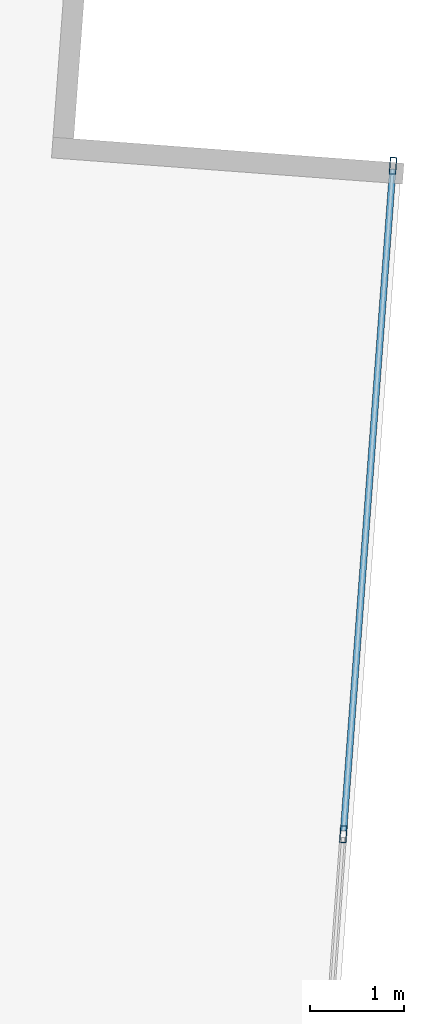
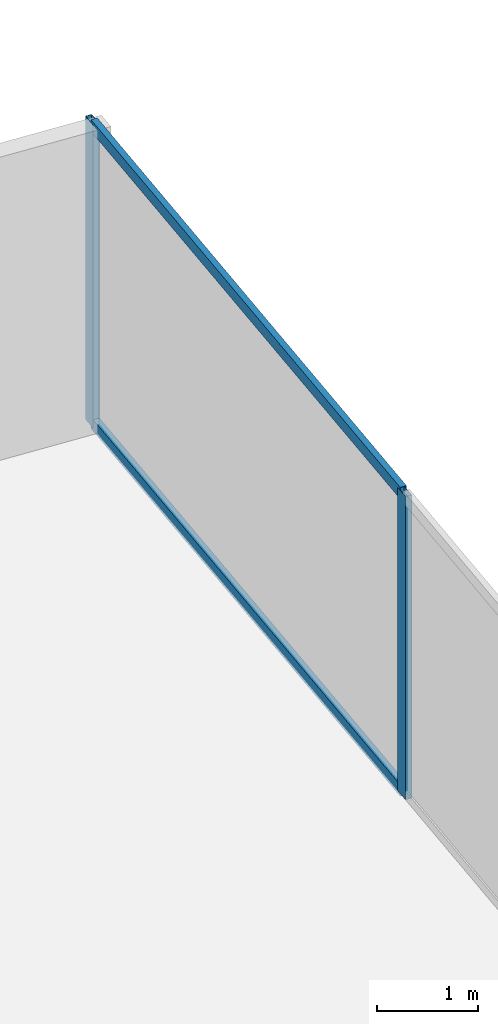
# One storey, part 22 of 30: 4 members, 1 element without a shape of its own.
"""IFC4 building model written with IfcOpenShell, lengths in metres."""

from ifc_helpers import new_model, si_unit, direction, frame, origin, origin_2d, place, context, subcontext, project, spatial, hollow_rectangle, extrude, source, transform, mapped, material, material_profile, profile_set, type_object, type_shapes, element, aggregate, save


model = new_model("IFC4")

# Units and contexts
model_context = context("Model", 3, precision=1e-05, world=origin(), true_north=direction((0.0, 1.0)))
body_context = subcontext(model_context, "Body", "Model", "MODEL_VIEW")
ifc_project = project(units=[si_unit("LENGTHUNIT", "METRE"), si_unit("AREAUNIT", "SQUARE_METRE"), si_unit("VOLUMEUNIT", "CUBIC_METRE"), si_unit("PLANEANGLEUNIT", "RADIAN"), si_unit("MASSUNIT", "GRAM", prefix="KILO")], contexts=[model_context])

# Site, building, storey
site_placement = place(None, origin())
site = spatial("IfcSite", under=ifc_project, at=site_placement, CompositionType="ELEMENT")
building_placement = place(site_placement, origin())
building = spatial("IfcBuilding", under=site, at=building_placement, Name="Krantzveldt Concourse Tower", CompositionType="ELEMENT")
storey_placement = place(building_placement, frame((0.0, 0.0, 52.64990234375)))
storey = spatial("IfcBuildingStorey", under=building, at=storey_placement, Name="L12", CompositionType="ELEMENT", Elevation=52.64990234375)

# Curtain wall, members
ifc_material = material(Name="Anodised aluminium 6063-T6", Category="aluminium")
curtain_wall_type = type_object("IfcCurtainWallType", Name="CW2", PredefinedType="USERDEFINED", material=ifc_material)
curtain_wall_placement = place(storey_placement, origin())
curtain_wall = element("IfcCurtainWall", 1, at=curtain_wall_placement, inside=storey, type_object=curtain_wall_type, Name="CW-L12-F07", ObjectType="UNITISED CURTAIN WALL", PredefinedType="USERDEFINED")
ifc_material_profile_1 = material_profile(ifc_material, hollow_rectangle(XDim=0.070068359375, YDim=0.139892578125, WallThickness=0.0048828125, at=origin_2d()), Name="Anodised aluminium 6063-T6", Category="aluminium")
ifc_profile_set_1 = profile_set([ifc_material_profile_1], Name="Anodised aluminium 6063-T6 - ALU-TRAN 140x70x5")
member_type_1 = type_object("IfcMemberType", Name="CW-TRN-150", PredefinedType="USERDEFINED", material=ifc_profile_set_1)
shared_shape_1 = source(origin(), body_context, "Body", "SweptSolid", [
    extrude(hollow_rectangle(XDim=0.070068359375, YDim=0.139892578125, WallThickness=0.0048828125, at=origin_2d()), origin(), (0.0, 0.0, 1.0), 7.061767578125),
])
type_shapes(member_type_1, [shared_shape_1])
member_1_placement = place(storey_placement, frame((61.90625, 39.182861328125, 0.03515625), z_axis=(0.074123832627, 0.997249044841, 0.0), x_axis=(-0.997249044841, 0.074123832627, 0.0)))
member_1 = element("IfcMember", 2, at=member_1_placement, type_object=member_type_1, Name="CW-Z12 transom 6.1", ObjectType="TRANSOM", PredefinedType="USERDEFINED", context=body_context, shape_type="MappedRepresentation", body=[
    mapped(shared_shape_1, transform((0.0, 0.0, 0.0), x_axis=(1.0, 0.0, 0.0), y_axis=(0.0, 1.0, 0.0), z_axis=(0.0, 0.0, 1.0), scale=1.0)),
])
member_2_placement = place(storey_placement, frame((61.90625, 39.182861328125, 3.635009765625), z_axis=(0.074123832627, 0.997249044841, 0.0), x_axis=(-0.997249044841, 0.074123832627, 0.0)))
member_2 = element("IfcMember", 3, at=member_2_placement, type_object=member_type_1, Name="CW-Z12 transom 6.2", ObjectType="TRANSOM", PredefinedType="USERDEFINED", context=body_context, shape_type="MappedRepresentation", body=[
    mapped(shared_shape_1, transform((0.0, 0.0, 0.0), x_axis=(1.0, 0.0, 0.0), y_axis=(0.0, 1.0, 0.0), z_axis=(0.0, 0.0, 1.0), scale=1.0)),
])
ifc_material_profile_2 = material_profile(ifc_material, hollow_rectangle(XDim=0.070068359375, YDim=0.179931640625, WallThickness=0.0048828125, at=origin_2d()), Name="Anodised aluminium 6063-T6", Category="aluminium")
ifc_profile_set_2 = profile_set([ifc_material_profile_2], Name="Anodised aluminium 6063-T6 - ALU-MULL 180x70x5")
member_type_2 = type_object("IfcMemberType", Name="CW-MUL-180", PredefinedType="MULLION", material=ifc_profile_set_2)
shared_shape_2 = source(origin(), body_context, "Body", "SweptSolid", [
    extrude(hollow_rectangle(XDim=0.070068359375, YDim=0.179931640625, WallThickness=0.0048828125, at=origin_2d()), origin(), (0.0, 0.0, 1.0), 3.670166015625),
])
type_shapes(member_type_2, [shared_shape_2])
member_3_placement = place(storey_placement, frame((61.90380859375, 39.14794921875, 0.0), z_axis=(0.0, 0.0, 1.0), x_axis=(-0.997250176902, 0.07410860051, 0.0)))
member_3 = element("IfcMember", 4, at=member_3_placement, type_object=member_type_2, Name="CW-Z12 mullion 6", PredefinedType="MULLION", context=body_context, shape_type="MappedRepresentation", body=[
    mapped(shared_shape_2, transform((0.0, 0.0, 0.0), x_axis=(1.0, 0.0, 0.0), y_axis=(0.0, 1.0, 0.0), z_axis=(0.0, 0.0, 1.0), scale=1.0)),
])
member_4_placement = place(storey_placement, frame((62.43212890625, 46.260009765625, 0.0), z_axis=(0.0, 0.0, 1.0), x_axis=(-0.997250176902, 0.07410860051, 0.0)))
member_4 = element("IfcMember", 5, at=member_4_placement, type_object=member_type_2, Name="CW-Z12 mullion 7", PredefinedType="MULLION", context=body_context, shape_type="MappedRepresentation", body=[
    mapped(shared_shape_2, transform((0.0, 0.0, 0.0), x_axis=(1.0, 0.0, 0.0), y_axis=(0.0, 1.0, 0.0), z_axis=(0.0, 0.0, 1.0), scale=1.0)),
])
aggregate(curtain_wall, [member_3, member_4, member_1, member_2])

save(model, "model.ifc")
